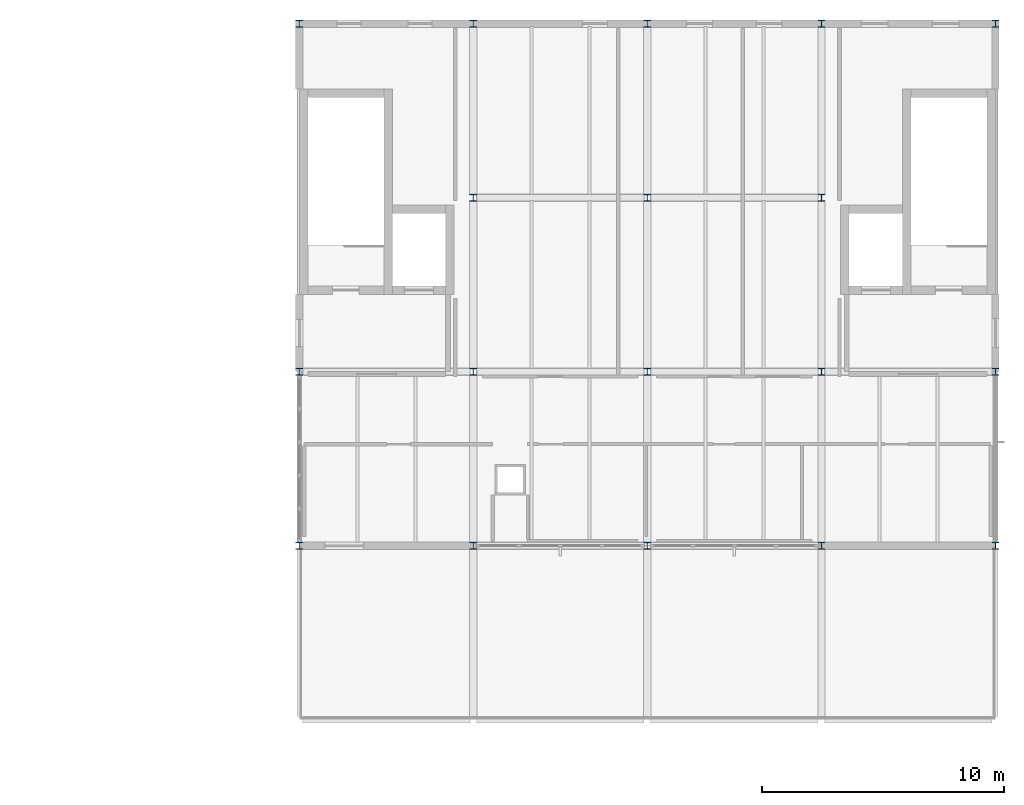
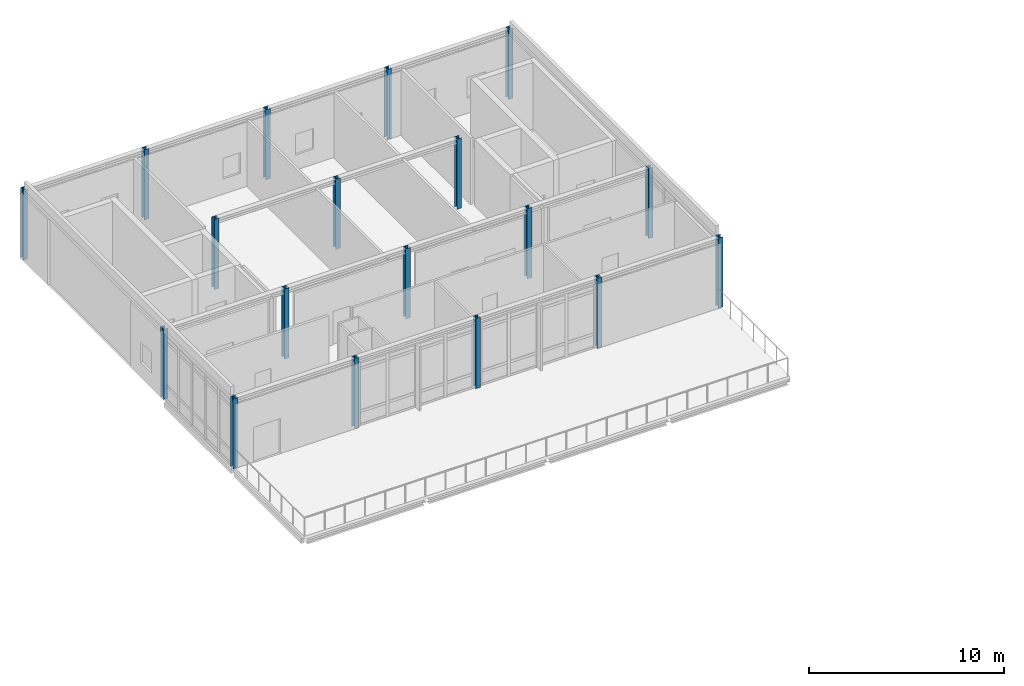
# One storey, part 3 of 21: 18 columns.
"""IFC4 building model written with IfcOpenShell, lengths in metres."""

from ifc_helpers import new_model, si_unit, direction, frame, origin, origin_2d, place, context, subcontext, project, spatial, i_section, extrude, material, material_profile, profile_set, type_object, element, save


model = new_model("IFC4")

# Units and contexts
model_context = context("Model", 3, precision=1e-05, world=origin(), true_north=direction((0.0, 1.0)))
body_context = subcontext(model_context, "Body", "Model", "MODEL_VIEW")
ifc_project = project(units=[si_unit("LENGTHUNIT", "METRE"), si_unit("AREAUNIT", "SQUARE_METRE"), si_unit("VOLUMEUNIT", "CUBIC_METRE"), si_unit("PLANEANGLEUNIT", "RADIAN"), si_unit("MASSUNIT", "GRAM", prefix="KILO")], contexts=[model_context])

# Site, building, storey
site_placement = place(None, origin())
site = spatial("IfcSite", under=ifc_project, at=site_placement, CompositionType="ELEMENT")
building_placement = place(site_placement, origin())
building = spatial("IfcBuilding", under=site, at=building_placement, Name="Zarrinpeak Specialist Clinic", CompositionType="ELEMENT")
storey_placement = place(building_placement, frame((0.0, 0.0, 22.800048828125)))
storey = spatial("IfcBuildingStorey", under=building, at=storey_placement, Name="L05", CompositionType="ELEMENT", Elevation=22.800048828125)

# Columns
ifc_material = material(Name="Steel S355", Category="steel")
ifc_material_profile = material_profile(ifc_material, i_section(OverallWidth=0.280029296875, OverallDepth=0.280029296875, WebThickness=0.010498046875, FlangeThickness=0.01806640625, FilletRadius=0.02392578125, at=origin_2d()), Name="HEB 280")
ifc_profile_set = profile_set([ifc_material_profile], Name="Steel S355")
column_type = type_object("IfcColumnType", Name="COL-HEB280", PredefinedType="COLUMN", material=ifc_profile_set)
for number, where, z_axis, x_axis, name in (
    (1, (36.0, 96.39990234375, 0.0), (0.0, 0.0, 1.0), (1.0, 0.0, 0.0), "L05 Structural Column COL-L05-032"),
    (2, (36.0, 103.60009765625, 0.0), (0.0, 0.0, 1.0), (1.0, 0.0, 0.0), "L05 Structural Column COL-L05-033"),
    (3, (36.0, 118.0, 0.0), (0.0, 0.0, 1.0), (1.0, 0.0, 0.0), "L05 Structural Column COL-L05-034"),
    (4, (43.199951171875, 96.39990234375, 0.0), (0.0, 0.0, 1.0), (1.0, 0.0, 0.0), "L05 Structural Column COL-L05-035"),
    (5, (43.199951171875, 103.60009765625, 0.0), (0.0, 0.0, 1.0), (1.0, 0.0, 0.0), "L05 Structural Column COL-L05-036"),
    (6, (43.199951171875, 110.800048828125, 0.0), (0.0, 0.0, 1.0), (1.0, 0.0, 0.0), "L05 Structural Column COL-L05-037"),
    (7, (43.199951171875, 118.0, 0.0), (0.0, 0.0, 1.0), (1.0, 0.0, 0.0), "L05 Structural Column COL-L05-038"),
    (8, (50.39990234375, 96.39990234375, 0.0), (0.0, 0.0, 1.0), (1.0, 0.0, 0.0), "L05 Structural Column COL-L05-039"),
    (9, (50.39990234375, 103.60009765625, 0.0), (0.0, 0.0, 1.0), (1.0, 0.0, 0.0), "L05 Structural Column COL-L05-040"),
    (10, (50.39990234375, 110.800048828125, 0.0), (0.0, 0.0, 1.0), (1.0, 0.0, 0.0), "L05 Structural Column COL-L05-041"),
    (11, (50.39990234375, 118.0, 0.0), (0.0, 0.0, 1.0), (1.0, 0.0, 0.0), "L05 Structural Column COL-L05-042"),
    (12, (57.60009765625, 96.39990234375, 0.0), (0.0, 0.0, 1.0), (1.0, 0.0, 0.0), "L05 Structural Column COL-L05-043"),
    (13, (57.60009765625, 103.60009765625, 0.0), (0.0, 0.0, 1.0), (1.0, 0.0, 0.0), "L05 Structural Column COL-L05-044"),
    (14, (57.60009765625, 110.800048828125, 0.0), (0.0, 0.0, 1.0), (1.0, 0.0, 0.0), "L05 Structural Column COL-L05-045"),
    (15, (57.60009765625, 118.0, 0.0), (0.0, 0.0, 1.0), (1.0, 0.0, 0.0), "L05 Structural Column COL-L05-046"),
    (16, (64.800048828125, 96.39990234375, 0.0), (0.0, 0.0, 1.0), (1.0, 0.0, 0.0), "L05 Structural Column COL-L05-047"),
    (17, (64.800048828125, 103.60009765625, 0.0), (0.0, 0.0, 1.0), (1.0, 0.0, 0.0), "L05 Structural Column COL-L05-048"),
    (18, (64.800048828125, 118.0, 0.0), (0.0, 0.0, 1.0), (1.0, 0.0, 0.0), "L05 Structural Column COL-L05-049"),
):
    element("IfcColumn", number, at=place(storey_placement, frame(where, z_axis=z_axis, x_axis=x_axis)), inside=storey, type_object=column_type, Name=name, PredefinedType="COLUMN", context=body_context, shape_type="SweptSolid", body=[
        extrude(i_section(OverallWidth=0.280029296875, OverallDepth=0.280029296875, WebThickness=0.010498046875, FlangeThickness=0.01806640625, FilletRadius=0.02392578125, at=origin_2d()), origin(), (0.0, 0.0, 1.0), 4.39990234375),
    ])

save(model, "model.ifc")
